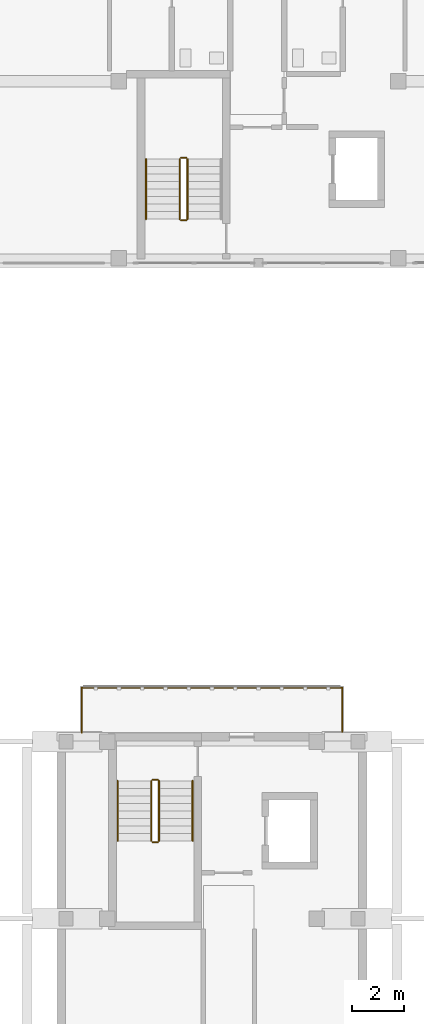
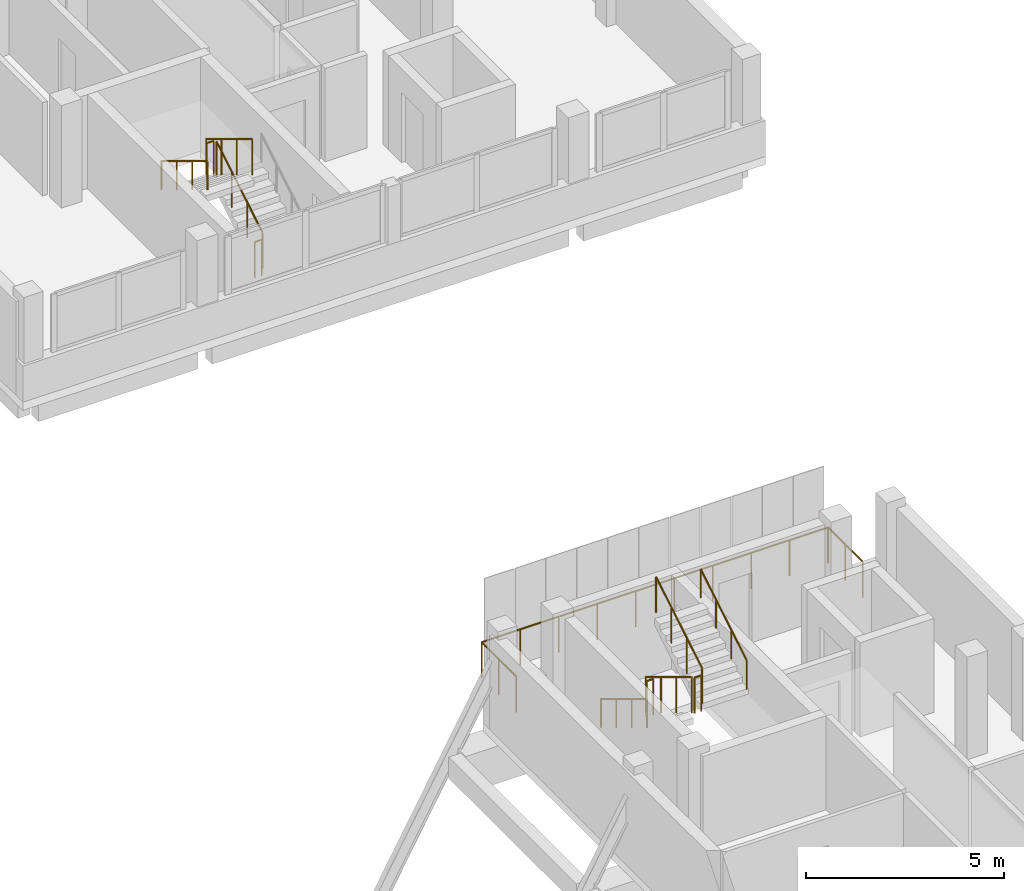
# One storey, part 30 of 34: 12 railings.
"""IFC4 building model written with IfcOpenShell, lengths in metres."""

from ifc_helpers import new_model, si_unit, derived_unit, direction, frame, origin, origin_2d, place, context, subcontext, project, spatial, circle, extrude, material, type_object, element, save


model = new_model("IFC4")

# Units and contexts
model_context = context("Model", 3, precision=1e-05, world=origin(), true_north=direction((0.0, 1.0)))
body_context = subcontext(model_context, "Body", "Model", "MODEL_VIEW")
ifc_project = project(units=[si_unit("LENGTHUNIT", "METRE"), si_unit("AREAUNIT", "SQUARE_METRE"), si_unit("VOLUMEUNIT", "CUBIC_METRE"), si_unit("PLANEANGLEUNIT", "RADIAN"), si_unit("MASSUNIT", "GRAM", prefix="KILO"), derived_unit("THERMALTRANSMITTANCEUNIT", [(si_unit("MASSUNIT", "GRAM", prefix="KILO"), 1), (si_unit("TIMEUNIT", "SECOND"), -3), (si_unit("THERMODYNAMICTEMPERATUREUNIT", "KELVIN"), -1)])], contexts=[model_context])

# Site, building, storey
site_placement = place(None, origin())
site = spatial("IfcSite", under=ifc_project, at=site_placement, CompositionType="ELEMENT")
building_placement = place(site_placement, origin())
building = spatial("IfcBuilding", under=site, at=building_placement, Name="Ochrekiln Boulevard Commons", CompositionType="ELEMENT")
storey_placement = place(building_placement, frame((0.0, 0.0, 27.824951171875)))
storey = spatial("IfcBuildingStorey", under=building, at=storey_placement, Name="L08", CompositionType="ELEMENT", Elevation=27.824951171875)

# Railings
ifc_material_1 = material(Name="Bronze-anodized extruded aluminium 6063-T6", Category="aluminium")
railing_type_1 = type_object("IfcRailingType", Name="RLG-BAL-1120", PredefinedType="BALUSTRADE", material=ifc_material_1)
railing_1_placement = place(storey_placement, frame((155.159912109375, 50.39990234375, 0.0)))
element("IfcRailing", 1, at=railing_1_placement, inside=storey, type_object=railing_type_1, Name="Block C L08 Screened Balcony Guard", PredefinedType="BALUSTRADE", context=body_context, shape_type="SweptSolid", body=[
    extrude(circle(Radius=0.02392578125, at=origin_2d()), frame((0.0, 0.0, 1.09619140625), z_axis=(0.0, 1.0, 0.0), x_axis=(-1.0, 0.0, 0.0)), (0.0, 0.0, 1.0), 1.739990234375),
    extrude(circle(Radius=0.02392578125, at=origin_2d()), frame((0.0, 1.739990234375, 1.09619140625), z_axis=(1.0, 0.0, 0.0), x_axis=(0.0, 1.0, 0.0)), (0.0, 0.0, 1.0), 10.080078125),
    extrude(circle(Radius=0.02392578125, at=origin_2d()), frame((10.080078125, 1.739990234375, 1.09619140625), z_axis=(0.0, -1.0, 0.0), x_axis=(1.0, 0.0, 0.0)), (0.0, 0.0, 1.0), 1.739990234375),
    extrude(circle(Radius=0.02099609375, at=origin_2d()), origin(), (0.0, 0.0, 1.0), 1.072021484375),
    extrude(circle(Radius=0.02099609375, at=origin_2d()), frame((0.0, 0.8701171875, 0.0)), (0.0, 0.0, 1.0), 1.072021484375),
    extrude(circle(Radius=0.02099609375, at=origin_2d()), frame((0.0, 1.739990234375, 0.0)), (0.0, 0.0, 1.0), 1.072021484375),
    extrude(circle(Radius=0.02099609375, at=origin_2d()), frame((1.1201171875, 1.739990234375, 0.0)), (0.0, 0.0, 1.0), 1.072021484375),
    extrude(circle(Radius=0.02099609375, at=origin_2d()), frame((2.239990234375, 1.739990234375, 0.0)), (0.0, 0.0, 1.0), 1.072021484375),
    extrude(circle(Radius=0.02099609375, at=origin_2d()), frame((3.360107421875, 1.739990234375, 0.0)), (0.0, 0.0, 1.0), 1.072021484375),
    extrude(circle(Radius=0.02099609375, at=origin_2d()), frame((4.47998046875, 1.739990234375, 0.0)), (0.0, 0.0, 1.0), 1.072021484375),
    extrude(circle(Radius=0.02099609375, at=origin_2d()), frame((5.60009765625, 1.739990234375, 0.0)), (0.0, 0.0, 1.0), 1.072021484375),
    extrude(circle(Radius=0.02099609375, at=origin_2d()), frame((6.719970703125, 1.739990234375, 0.0)), (0.0, 0.0, 1.0), 1.072021484375),
    extrude(circle(Radius=0.02099609375, at=origin_2d()), frame((7.840087890625, 1.739990234375, 0.0)), (0.0, 0.0, 1.0), 1.072021484375),
    extrude(circle(Radius=0.02099609375, at=origin_2d()), frame((8.9599609375, 1.739990234375, 0.0)), (0.0, 0.0, 1.0), 1.072021484375),
    extrude(circle(Radius=0.02099609375, at=origin_2d()), frame((10.080078125, 1.739990234375, 0.0)), (0.0, 0.0, 1.0), 1.072021484375),
    extrude(circle(Radius=0.02099609375, at=origin_2d()), frame((10.080078125, 0.8701171875, 0.0)), (0.0, 0.0, 1.0), 1.072021484375),
    extrude(circle(Radius=0.02099609375, at=origin_2d()), frame((10.080078125, 0.0, 0.0)), (0.0, 0.0, 1.0), 1.072021484375),
])
ifc_material_2 = material(Name="Brushed stainless steel 316 tubular railing", Category="steel")
railing_type_2 = type_object("IfcRailingType", Name="RLG-HDR-900", PredefinedType="HANDRAIL", material=ifc_material_2)
railing_2_placement = place(storey_placement, frame((157.64990234375, 72.590087890625, 1.75)))
element("IfcRailing", 2, at=railing_2_placement, inside=storey, type_object=railing_type_2, Name="L08 ST-B1 stair handrail 2", PredefinedType="HANDRAIL", context=body_context, shape_type="SweptSolid", body=[
    extrude(circle(Radius=0.02392578125, at=origin_2d()), frame((0.0, 0.0, 0.8759765625), z_axis=(0.0, -0.856170481923, 0.516693435108), x_axis=(1.0, 0.0, 0.0)), (0.0, 0.0, 1.0), 2.709716796875),
    extrude(circle(Radius=0.02099609375, at=origin_2d()), origin(), (0.0, 0.0, 1.0), 0.851806640625),
    extrude(circle(Radius=0.02099609375, at=origin_2d()), frame((0.0, -0.7734375, 0.466796875)), (0.0, 0.0, 1.0), 0.851806640625),
    extrude(circle(Radius=0.02099609375, at=origin_2d()), frame((0.0, -1.546630859375, 0.933349609375)), (0.0, 0.0, 1.0), 0.851806640625),
    extrude(circle(Radius=0.02099609375, at=origin_2d()), frame((0.0, -2.320068359375, 1.400146484375)), (0.0, 0.0, 1.0), 0.851806640625),
])
railing_3_placement = place(storey_placement, frame((156.550048828125, 48.530029296875, 0.175048828125)))
element("IfcRailing", 3, at=railing_3_placement, inside=storey, type_object=railing_type_2, Name="L08 ST-C2 stair handrail 1", PredefinedType="HANDRAIL", context=body_context, shape_type="SweptSolid", body=[
    extrude(circle(Radius=0.02392578125, at=origin_2d()), frame((0.0, 0.0, 0.8759765625), z_axis=(0.0, -0.85621033714, 0.516627388526), x_axis=(1.0, 0.0, 0.0)), (0.0, 0.0, 1.0), 2.709716796875),
    extrude(circle(Radius=0.02099609375, at=origin_2d()), origin(), (0.0, 0.0, 1.0), 0.851806640625),
    extrude(circle(Radius=0.02099609375, at=origin_2d()), frame((0.0, -0.7734375, 0.466552734375)), (0.0, 0.0, 1.0), 0.851806640625),
    extrude(circle(Radius=0.02099609375, at=origin_2d()), frame((0.0, -1.546630859375, 0.933349609375)), (0.0, 0.0, 1.0), 0.851806640625),
    extrude(circle(Radius=0.02099609375, at=origin_2d()), frame((0.0, -2.320068359375, 1.39990234375)), (0.0, 0.0, 1.0), 0.851806640625),
])
railing_4_placement = place(storey_placement, frame((159.449951171875, 46.2099609375, 1.75)))
element("IfcRailing", 4, at=railing_4_placement, inside=storey, type_object=railing_type_2, Name="L08 ST-C2 stair handrail 2", PredefinedType="HANDRAIL", context=body_context, shape_type="SweptSolid", body=[
    extrude(circle(Radius=0.02392578125, at=origin_2d()), frame((0.0, 0.0, 0.8759765625), z_axis=(0.0, 0.856170481923, 0.516693435108), x_axis=(-1.0, 0.0, 0.0)), (0.0, 0.0, 1.0), 2.709716796875),
    extrude(circle(Radius=0.02099609375, at=origin_2d()), origin(), (0.0, 0.0, 1.0), 0.851806640625),
    extrude(circle(Radius=0.02099609375, at=origin_2d()), frame((0.0, 0.7734375, 0.466796875)), (0.0, 0.0, 1.0), 0.851806640625),
    extrude(circle(Radius=0.02099609375, at=origin_2d()), frame((0.0, 1.546630859375, 0.933349609375)), (0.0, 0.0, 1.0), 0.851806640625),
    extrude(circle(Radius=0.02099609375, at=origin_2d()), frame((0.0, 2.320068359375, 1.400146484375)), (0.0, 0.0, 1.0), 0.851806640625),
])
railing_type_3 = type_object("IfcRailingType", Name="RLG-STR-1120", PredefinedType="BALUSTRADE", material=ifc_material_2)
railing_5_placement = place(storey_placement, frame((159.25, 70.27001953125, 0.175048828125)))
element("IfcRailing", 5, at=railing_5_placement, inside=storey, type_object=railing_type_3, Name="L08 ST-B1 stair guard 1", PredefinedType="BALUSTRADE", context=body_context, shape_type="SweptSolid", body=[
    extrude(circle(Radius=0.02392578125, at=origin_2d()), frame((0.0, 0.0, 1.09619140625), z_axis=(0.0, 0.85621033714, 0.516627388526), x_axis=(-1.0, 0.0, 0.0)), (0.0, 0.0, 1.0), 2.709716796875),
    extrude(circle(Radius=0.02099609375, at=origin_2d()), origin(), (0.0, 0.0, 1.0), 1.072021484375),
    extrude(circle(Radius=0.02099609375, at=origin_2d()), frame((0.0, 0.7734375, 0.466552734375)), (0.0, 0.0, 1.0), 1.072021484375),
    extrude(circle(Radius=0.02099609375, at=origin_2d()), frame((0.0, 1.546630859375, 0.933349609375)), (0.0, 0.0, 1.0), 1.072021484375),
    extrude(circle(Radius=0.02099609375, at=origin_2d()), frame((0.0, 2.320068359375, 1.39990234375)), (0.0, 0.0, 1.0), 1.072021484375),
])
railing_6_placement = place(storey_placement, frame((159.199951171875, 72.639892578125, 1.574951171875)))
element("IfcRailing", 6, at=railing_6_placement, inside=storey, type_object=railing_type_3, Name="L08 ST-B1 stair guard 2", PredefinedType="BALUSTRADE", context=body_context, shape_type="SweptSolid", body=[
    extrude(circle(Radius=0.02392578125, at=origin_2d()), frame((0.0, 0.0, 1.09619140625), z_axis=(-1.0, 0.0, 0.0), x_axis=(0.0, -1.0, 0.0)), (0.0, 0.0, 1.0), 0.199951171875),
    extrude(circle(Radius=0.02099609375, at=origin_2d()), origin(), (0.0, 0.0, 1.0), 1.072021484375),
    extrude(circle(Radius=0.02099609375, at=origin_2d()), frame((-0.199951171875, 0.0, 0.0)), (0.0, 0.0, 1.0), 1.072021484375),
])
railing_7_placement = place(storey_placement, frame((158.949951171875, 72.590087890625, 1.75)))
element("IfcRailing", 7, at=railing_7_placement, inside=storey, type_object=railing_type_3, Name="L08 ST-B1 stair guard 3", PredefinedType="BALUSTRADE", context=body_context, shape_type="SweptSolid", body=[
    extrude(circle(Radius=0.02392578125, at=origin_2d()), frame((0.0, 0.0, 1.09619140625), z_axis=(0.0, -0.856170481923, 0.516693435108), x_axis=(1.0, 0.0, 0.0)), (0.0, 0.0, 1.0), 2.709716796875),
    extrude(circle(Radius=0.02099609375, at=origin_2d()), origin(), (0.0, 0.0, 1.0), 1.072021484375),
    extrude(circle(Radius=0.02099609375, at=origin_2d()), frame((0.0, -0.7734375, 0.466796875)), (0.0, 0.0, 1.0), 1.072021484375),
    extrude(circle(Radius=0.02099609375, at=origin_2d()), frame((0.0, -1.546630859375, 0.933349609375)), (0.0, 0.0, 1.0), 1.072021484375),
    extrude(circle(Radius=0.02099609375, at=origin_2d()), frame((0.0, -2.320068359375, 1.400146484375)), (0.0, 0.0, 1.0), 1.072021484375),
])
railing_8_placement = place(storey_placement, frame((159.199951171875, 70.219970703125, 0.0)))
element("IfcRailing", 8, at=railing_8_placement, inside=storey, type_object=railing_type_3, Name="L08 ST-B1 stair guard 4", PredefinedType="BALUSTRADE", context=body_context, shape_type="SweptSolid", body=[
    extrude(circle(Radius=0.02392578125, at=origin_2d()), frame((0.0, 0.0, 1.09619140625), z_axis=(-1.0, 0.0, 0.0), x_axis=(0.0, -1.0, 0.0)), (0.0, 0.0, 1.0), 0.199951171875),
    extrude(circle(Radius=0.02099609375, at=origin_2d()), origin(), (0.0, 0.0, 1.0), 1.072021484375),
    extrude(circle(Radius=0.02099609375, at=origin_2d()), frame((-0.199951171875, 0.0, 0.0)), (0.0, 0.0, 1.0), 1.072021484375),
])
railing_9_placement = place(storey_placement, frame((157.85009765625, 48.530029296875, 0.175048828125)))
element("IfcRailing", 9, at=railing_9_placement, inside=storey, type_object=railing_type_3, Name="L08 ST-C2 stair guard 1", PredefinedType="BALUSTRADE", context=body_context, shape_type="SweptSolid", body=[
    extrude(circle(Radius=0.02392578125, at=origin_2d()), frame((0.0, 0.0, 1.09619140625), z_axis=(0.0, -0.85621033714, 0.516627388526), x_axis=(1.0, 0.0, 0.0)), (0.0, 0.0, 1.0), 2.709716796875),
    extrude(circle(Radius=0.02099609375, at=origin_2d()), origin(), (0.0, 0.0, 1.0), 1.072021484375),
    extrude(circle(Radius=0.02099609375, at=origin_2d()), frame((0.0, -0.7734375, 0.466552734375)), (0.0, 0.0, 1.0), 1.072021484375),
    extrude(circle(Radius=0.02099609375, at=origin_2d()), frame((0.0, -1.546630859375, 0.933349609375)), (0.0, 0.0, 1.0), 1.072021484375),
    extrude(circle(Radius=0.02099609375, at=origin_2d()), frame((0.0, -2.320068359375, 1.39990234375)), (0.0, 0.0, 1.0), 1.072021484375),
])
railing_10_placement = place(storey_placement, frame((157.89990234375, 46.159912109375, 1.574951171875)))
element("IfcRailing", 10, at=railing_10_placement, inside=storey, type_object=railing_type_3, Name="L08 ST-C2 stair guard 2", PredefinedType="BALUSTRADE", context=body_context, shape_type="SweptSolid", body=[
    extrude(circle(Radius=0.02392578125, at=origin_2d()), frame((0.0, 0.0, 1.09619140625), z_axis=(1.0, 0.0, 0.0), x_axis=(0.0, 1.0, 0.0)), (0.0, 0.0, 1.0), 0.2001953125),
    extrude(circle(Radius=0.02099609375, at=origin_2d()), origin(), (0.0, 0.0, 1.0), 1.072021484375),
    extrude(circle(Radius=0.02099609375, at=origin_2d()), frame((0.2001953125, 0.0, 0.0)), (0.0, 0.0, 1.0), 1.072021484375),
])
railing_11_placement = place(storey_placement, frame((158.14990234375, 46.2099609375, 1.75)))
element("IfcRailing", 11, at=railing_11_placement, inside=storey, type_object=railing_type_3, Name="L08 ST-C2 stair guard 3", PredefinedType="BALUSTRADE", context=body_context, shape_type="SweptSolid", body=[
    extrude(circle(Radius=0.02392578125, at=origin_2d()), frame((0.0, 0.0, 1.09619140625), z_axis=(0.0, 0.856170481923, 0.516693435108), x_axis=(-1.0, 0.0, 0.0)), (0.0, 0.0, 1.0), 2.709716796875),
    extrude(circle(Radius=0.02099609375, at=origin_2d()), origin(), (0.0, 0.0, 1.0), 1.072021484375),
    extrude(circle(Radius=0.02099609375, at=origin_2d()), frame((0.0, 0.7734375, 0.466796875)), (0.0, 0.0, 1.0), 1.072021484375),
    extrude(circle(Radius=0.02099609375, at=origin_2d()), frame((0.0, 1.546630859375, 0.933349609375)), (0.0, 0.0, 1.0), 1.072021484375),
    extrude(circle(Radius=0.02099609375, at=origin_2d()), frame((0.0, 2.320068359375, 1.400146484375)), (0.0, 0.0, 1.0), 1.072021484375),
])
railing_12_placement = place(storey_placement, frame((157.89990234375, 48.580078125, 0.0)))
element("IfcRailing", 12, at=railing_12_placement, inside=storey, type_object=railing_type_3, Name="L08 ST-C2 stair guard 4", PredefinedType="BALUSTRADE", context=body_context, shape_type="SweptSolid", body=[
    extrude(circle(Radius=0.02392578125, at=origin_2d()), frame((0.0, 0.0, 1.09619140625), z_axis=(1.0, 0.0, 0.0), x_axis=(0.0, 1.0, 0.0)), (0.0, 0.0, 1.0), 0.2001953125),
    extrude(circle(Radius=0.02099609375, at=origin_2d()), origin(), (0.0, 0.0, 1.0), 1.072021484375),
    extrude(circle(Radius=0.02099609375, at=origin_2d()), frame((0.2001953125, 0.0, 0.0)), (0.0, 0.0, 1.0), 1.072021484375),
])

save(model, "model.ifc")
